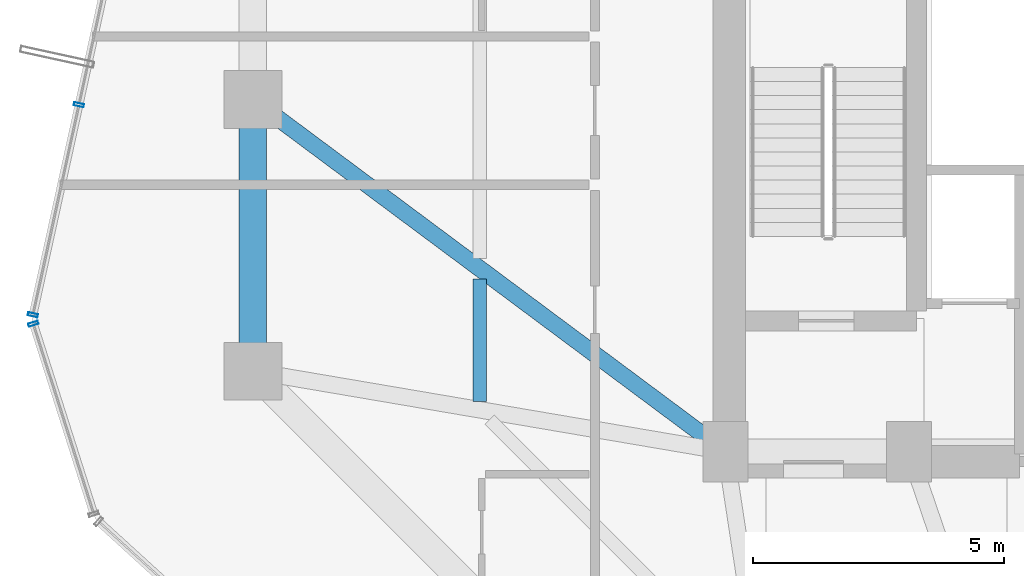
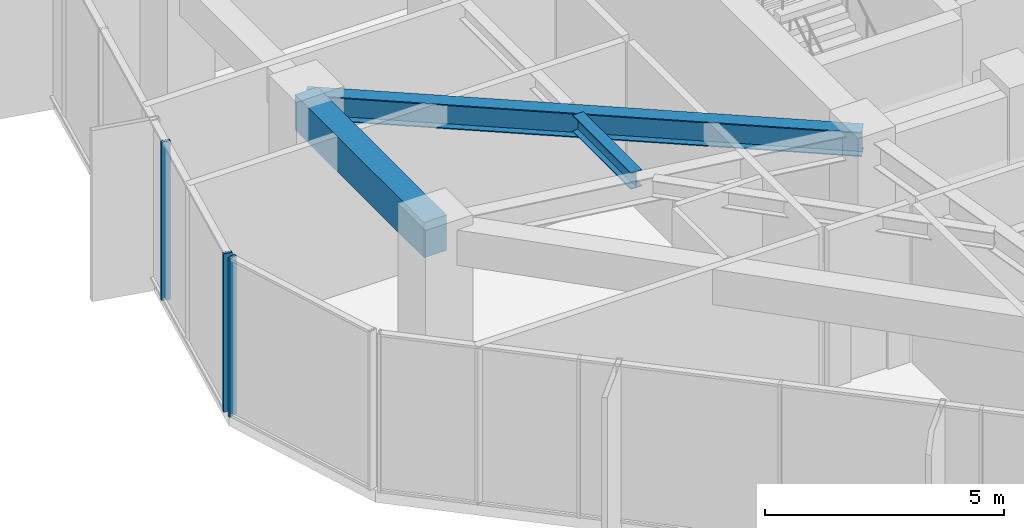
# One storey, part 10 of 28: 3 beams, 3 members, 2 elements without a shape of their own.
"""IFC4 building model written with IfcOpenShell, lengths in metres."""

from ifc_helpers import new_model, si_unit, direction, frame, origin, origin_2d, place, context, subcontext, project, spatial, rectangle, hollow_rectangle, i_section, extrude, source, transform, mapped, material, layer, layer_set, material_profile, profile_set, type_object, element, aggregate, save


model = new_model("IFC4")

# Units and contexts
model_context = context("Model", 3, precision=1e-05, world=origin(), true_north=direction((0.0, 1.0)))
body_context = subcontext(model_context, "Body", "Model", "MODEL_VIEW")
ifc_project = project(units=[si_unit("LENGTHUNIT", "METRE"), si_unit("AREAUNIT", "SQUARE_METRE"), si_unit("VOLUMEUNIT", "CUBIC_METRE"), si_unit("PLANEANGLEUNIT", "RADIAN"), si_unit("MASSUNIT", "GRAM", prefix="KILO")], contexts=[model_context])

# Site, building, storey
site_placement = place(None, origin())
site = spatial("IfcSite", under=ifc_project, at=site_placement, CompositionType="ELEMENT")
building_placement = place(site_placement, origin())
building = spatial("IfcBuilding", under=site, at=building_placement, Name="Veraguas Prism Commons", CompositionType="ELEMENT")
storey_placement = place(building_placement, frame((0.0, 0.0, 85.14990234375)))
storey = spatial("IfcBuildingStorey", under=building, at=storey_placement, Name="L23", CompositionType="ELEMENT", Elevation=85.14990234375)

# Beams
ifc_material_1 = material(Name="Steel ASTM A992 Grade 50", Category="steel")
ifc_material_profile_1 = material_profile(ifc_material_1, i_section(OverallWidth=0.260986328125, OverallDepth=0.419921875, WebThickness=0.01171875, FlangeThickness=0.019287109375, at=origin_2d()), Name="W410X114")
ifc_profile_set_1 = profile_set([ifc_material_profile_1], Name="Steel ASTM A992 Grade 50")
beam_type_1 = type_object("IfcBeamType", Name="Lower Floor Joist W410x114", PredefinedType="JOIST", material=ifc_profile_set_1)
beam_1_placement = place(storey_placement, frame((12.31201171875, 20.43798828125, 3.840087890625), z_axis=(0.0, -1.0, 0.0), x_axis=(1.0, 0.0, 0.0)))
element("IfcBeam", 1, at=beam_1_placement, inside=storey, type_object=beam_type_1, Name="Composite Floor Joist L23-JS08", PredefinedType="JOIST", context=body_context, shape_type="SweptSolid", body=[
    extrude(i_section(OverallWidth=0.260986328125, OverallDepth=0.419921875, WebThickness=0.01171875, FlangeThickness=0.019287109375, at=origin_2d()), origin(), (0.0, 0.0, 1.0), 2.441650390625),
])
ifc_material_2 = material(Name="Concrete C50/60", Category="concrete")
ifc_material_profile_2 = material_profile(ifc_material_2, rectangle(XDim=0.550048828125, YDim=0.89990234375, at=origin_2d()), Name="RC550X900")
ifc_profile_set_2 = profile_set([ifc_material_profile_2], Name="Concrete C50/60")
beam_type_2 = type_object("IfcBeamType", Name="Perimeter Spandrel Lower RC 550x900", PredefinedType="SPANDREL", material=ifc_profile_set_2)
beam_2_placement = place(storey_placement, frame((7.800048828125, 24.0, 3.60009765625), z_axis=(0.0, -1.0, 0.0), x_axis=(1.0, 0.0, 0.0)))
element("IfcBeam", 2, at=beam_2_placement, inside=storey, type_object=beam_type_2, Name="Perimeter Spandrel Beam L23-SP08", PredefinedType="SPANDREL", context=body_context, shape_type="SweptSolid", body=[
    extrude(rectangle(XDim=0.550048828125, YDim=0.89990234375, at=origin_2d()), origin(), (0.0, 0.0, 1.0), 5.39990234375),
])
ifc_material_profile_3 = material_profile(ifc_material_1, i_section(OverallWidth=0.327880859375, OverallDepth=0.6220703125, WebThickness=0.015380859375, FlangeThickness=0.0244140625, at=origin_2d()), Name="W610X195")
ifc_profile_set_3 = profile_set([ifc_material_profile_3], Name="Steel ASTM A992 Grade 50")
beam_type_3 = type_object("IfcBeamType", Name="Zone 2 Radial Girder W610x195", PredefinedType="BEAM", material=ifc_profile_set_3)
beam_3_placement = place(storey_placement, frame((7.800048828125, 24.0, 3.739013671875), z_axis=(0.802040137921, -0.597270137512, 0.0), x_axis=(0.597270137512, 0.802040137921, 0.0)))
element("IfcBeam", 3, at=beam_3_placement, inside=storey, type_object=beam_type_3, Name="Radial Floor Girder L23-RD08", PredefinedType="BEAM", context=body_context, shape_type="SweptSolid", body=[
    extrude(i_section(OverallWidth=0.327880859375, OverallDepth=0.6220703125, WebThickness=0.015380859375, FlangeThickness=0.0244140625, at=origin_2d()), origin(), (0.0, 0.0, 1.0), 11.719970703125),
])

# Curtain wall, members
ifc_material_3 = material(Name="Anodised aluminium EN AW-6063 T6", Category="aluminium")
ifc_layer = layer(ifc_material_3, 0.199951171875, Name="Sky Lobby and Pool Acoustic Curtain Wall", Category="aluminium")
ifc_layer_set = layer_set([ifc_layer], Name="Anodised aluminium EN AW-6063 T6")
curtain_wall_type = type_object("IfcCurtainWallType", Name="Sky Lobby and Pool Acoustic Curtain Wall", PredefinedType="NOTDEFINED", material=ifc_layer_set)
curtain_wall_1_placement = place(storey_placement, origin())
curtain_wall_1 = element("IfcCurtainWall", 4, at=curtain_wall_1_placement, inside=storey, type_object=curtain_wall_type, Name="Tower Facade Curtain Wall L23-F3", PredefinedType="NOTDEFINED")
ifc_material_profile_4 = material_profile(ifc_material_3, hollow_rectangle(XDim=0.06494140625, YDim=0.199951171875, WallThickness=0.00390625, at=origin_2d()), Name="AL65X200X4")
ifc_profile_set_4 = profile_set([ifc_material_profile_4], Name="Anodised aluminium EN AW-6063 T6")
member_type = type_object("IfcMemberType", Name="Curtain Wall Mullion Heavy AL 65x200x4", PredefinedType="MULLION", material=ifc_profile_set_4)
shared_shape = source(origin(), body_context, "Body", "SweptSolid", [
    extrude(hollow_rectangle(XDim=0.06494140625, YDim=0.199951171875, WallThickness=0.00390625, at=origin_2d()), origin(), (0.0, 0.0, 1.0), 4.050048828125),
])
member_1_placement = place(storey_placement, frame((4.33984375, 23.897216796875, 0.0), z_axis=(0.0, 0.0, 1.0), x_axis=(-0.21405513389, -0.976821580257, 0.0)))
member_1 = element("IfcMember", 5, at=member_1_placement, type_object=member_type, Name="CW-SKY Mullion 4", PredefinedType="MULLION", context=body_context, shape_type="MappedRepresentation", body=[
    mapped(shared_shape, transform((0.0, 0.0, 0.0), scale=1.0)),
])
member_2_placement = place(storey_placement, frame((3.424560546875, 19.720458984375, 0.0), z_axis=(0.0, 0.0, 1.0), x_axis=(-0.21405513389, -0.976821580257, 0.0)))
member_2 = element("IfcMember", 6, at=member_2_placement, type_object=member_type, Name="CW-SKY Mullion 5", PredefinedType="MULLION", context=body_context, shape_type="MappedRepresentation", body=[
    mapped(shared_shape, transform((0.0, 0.0, 0.0), scale=1.0)),
])
aggregate(curtain_wall_1, [member_1, member_2])

# Curtain wall, member
curtain_wall_2_placement = place(storey_placement, origin())
curtain_wall_2 = element("IfcCurtainWall", 7, at=curtain_wall_2_placement, inside=storey, type_object=curtain_wall_type, Name="Chamfer Curtain Wall L23-C4", PredefinedType="NOTDEFINED")
member_3_placement = place(storey_placement, frame((3.432861328125, 19.541748046875, 0.0), z_axis=(0.0, 0.0, 1.0), x_axis=(0.303023626771, -0.95298304372, 0.0)))
member_3 = element("IfcMember", 8, at=member_3_placement, type_object=member_type, Name="CW-SKY Mullion 1", PredefinedType="MULLION", context=body_context, shape_type="MappedRepresentation", body=[
    mapped(shared_shape, transform((0.0, 0.0, 0.0), scale=1.0)),
])
aggregate(curtain_wall_2, [member_3])

save(model, "model.ifc")
